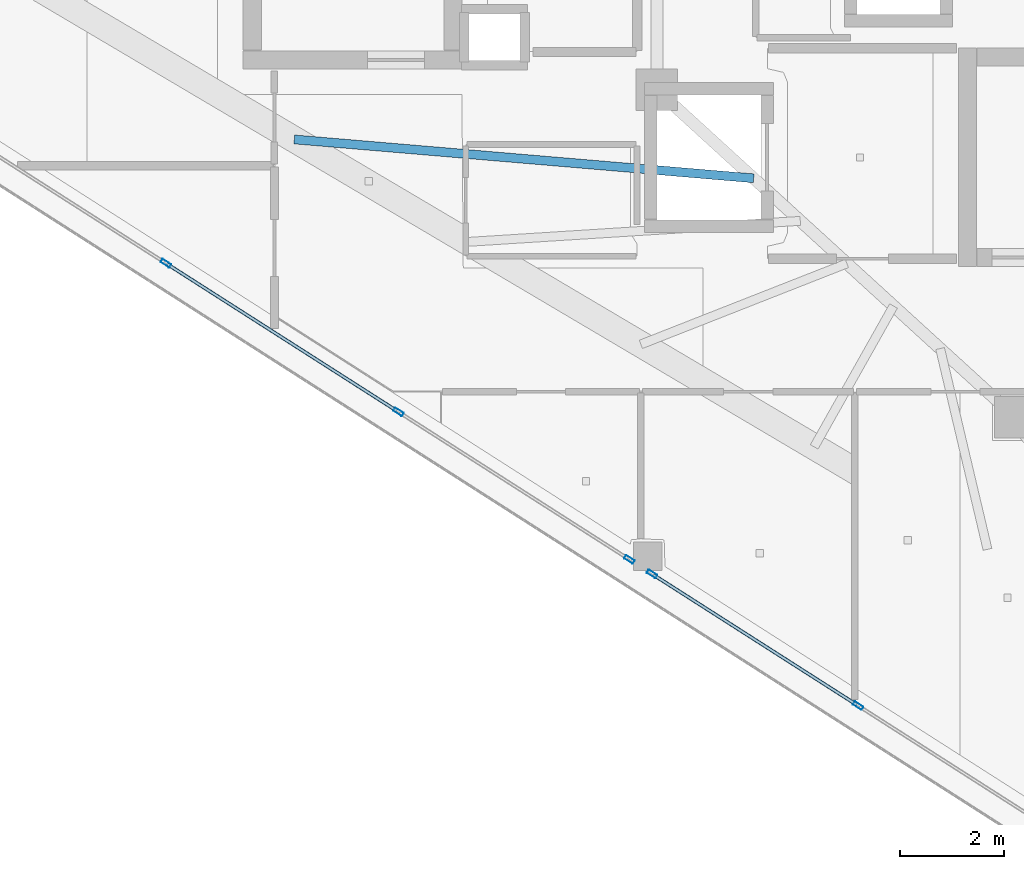
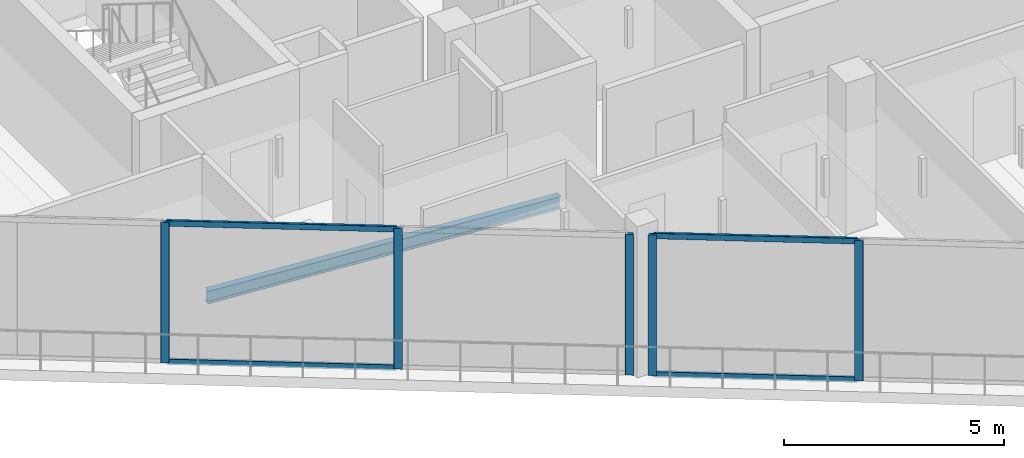
# One storey, part 2 of 25: 9 members, 1 beam, 2 elements without a shape of their own.
"""IFC4 building model written with IfcOpenShell, lengths in metres."""

from ifc_helpers import new_model, si_unit, direction, frame, origin, origin_2d, place, context, subcontext, project, spatial, hollow_rectangle, i_section, extrude, material, layer, layer_set, material_profile, profile_set, type_object, element, aggregate, save


model = new_model("IFC4")

# Units and contexts
model_context = context("Model", 3, precision=1e-05, world=origin(), true_north=direction((0.0, 1.0)))
body_context = subcontext(model_context, "Body", "Model", "MODEL_VIEW")
ifc_project = project(units=[si_unit("LENGTHUNIT", "METRE"), si_unit("AREAUNIT", "SQUARE_METRE"), si_unit("VOLUMEUNIT", "CUBIC_METRE"), si_unit("PLANEANGLEUNIT", "RADIAN"), si_unit("MASSUNIT", "GRAM", prefix="KILO")], contexts=[model_context])

# Site, building, storey
site_placement = place(None, origin())
site = spatial("IfcSite", under=ifc_project, at=site_placement, CompositionType="ELEMENT")
building_placement = place(site_placement, origin())
building = spatial("IfcBuilding", under=site, at=building_placement, Name="Qorvath Tower", CompositionType="ELEMENT")
storey_placement = place(building_placement, frame((0.0, 0.0, 306.0)))
storey = spatial("IfcBuildingStorey", under=building, at=storey_placement, Name="L71", CompositionType="ELEMENT", Elevation=306.0)

# Beam
ifc_material_1 = material(Name="Steel ASTM A992 Grade 50", Category="steel")
ifc_material_profile_1 = material_profile(ifc_material_1, i_section(OverallWidth=0.1708984375, OverallDepth=0.35107421875, WebThickness=0.0068359375, FlangeThickness=0.009765625, FilletRadius=0.010009765625, at=origin_2d()), Name="W14x30")
ifc_profile_set_1 = profile_set([ifc_material_profile_1], Name="Steel ASTM A992 Grade 50")
beam_type = type_object("IfcBeamType", Name="BM-FJ4", PredefinedType="JOIST", material=ifc_profile_set_1)
beam_placement = place(storey_placement, frame((-28.636962890625, -6.85107421875, -0.465576171875), z_axis=(-0.996436150147, 0.084350451576, 0.0), x_axis=(-0.084350451576, -0.996436150147, 0.0)))
element("IfcBeam", 1, at=beam_placement, inside=storey, type_object=beam_type, Name="Composite Floor Joist SW2 L71", PredefinedType="JOIST", context=body_context, shape_type="SweptSolid", body=[
    extrude(i_section(OverallWidth=0.1708984375, OverallDepth=0.35107421875, WebThickness=0.0068359375, FlangeThickness=0.009765625, FilletRadius=0.010009765625, at=origin_2d()), origin(), (0.0, 0.0, 1.0), 8.87109375),
])

# Curtain wall, members
ifc_material_2 = material(Name="Anodised aluminium and triple low-E glass", Category="aluminium")
ifc_layer = layer(ifc_material_2, 0.179931640625)
ifc_layer_set = layer_set([ifc_layer], Name="CW-SYS-4")
curtain_wall_type = type_object("IfcCurtainWallType", Name="CW-SYS-4", PredefinedType="NOTDEFINED", material=ifc_layer_set)
curtain_wall_1_placement = place(storey_placement, origin())
curtain_wall_1 = element("IfcCurtainWall", 2, at=curtain_wall_1_placement, inside=storey, type_object=curtain_wall_type, Name="Curtain Wall CW-4 CW-T-L71-2.1", PredefinedType="NOTDEFINED")
ifc_material_3 = material(Name="Anodised aluminium 6063-T6", Category="aluminium")
ifc_material_profile_2 = material_profile(ifc_material_3, hollow_rectangle(XDim=0.074951171875, YDim=0.199951171875, WallThickness=0.00390625, InnerFilletRadius=0.00390625, OuterFilletRadius=0.008056640625, at=origin_2d()), Name="CWM 200x75")
ifc_profile_set_2 = profile_set([ifc_material_profile_2], Name="Anodised aluminium 6063-T6")
member_type_1 = type_object("IfcMemberType", Name="CWM-200", PredefinedType="MULLION", material=ifc_profile_set_2)
member_1_placement = place(storey_placement, frame((-39.948486328125, -8.485107421875, 0.0), z_axis=(0.0, 0.0, 1.0), x_axis=(0.538537259419, 0.842601697255, 0.0)))
member_1 = element("IfcMember", 3, at=member_1_placement, type_object=member_type_1, Name="CW-4 mullion 3", PredefinedType="MULLION", context=body_context, shape_type="SweptSolid", body=[
    extrude(hollow_rectangle(XDim=0.074951171875, YDim=0.199951171875, WallThickness=0.00390625, InnerFilletRadius=0.00390625, OuterFilletRadius=0.008056640625, at=origin_2d()), origin(), (0.0, 0.0, 1.0), 3.909912109375),
])
member_2_placement = place(storey_placement, frame((-35.472900390625, -11.345458984375, 0.0), z_axis=(0.0, 0.0, 1.0), x_axis=(0.538537259419, 0.842601697255, 0.0)))
member_2 = element("IfcMember", 4, at=member_2_placement, type_object=member_type_1, Name="CW-4 mullion 4", PredefinedType="MULLION", context=body_context, shape_type="SweptSolid", body=[
    extrude(hollow_rectangle(XDim=0.074951171875, YDim=0.199951171875, WallThickness=0.00390625, InnerFilletRadius=0.00390625, OuterFilletRadius=0.008056640625, at=origin_2d()), origin(), (0.0, 0.0, 1.0), 3.909912109375),
])
member_3_placement = place(storey_placement, frame((-31.02880859375, -14.185791015625, 0.0), z_axis=(0.0, 0.0, 1.0), x_axis=(0.538537259419, 0.842601697255, 0.0)))
member_3 = element("IfcMember", 5, at=member_3_placement, type_object=member_type_1, Name="CW-4 mullion 5", PredefinedType="MULLION", context=body_context, shape_type="SweptSolid", body=[
    extrude(hollow_rectangle(XDim=0.074951171875, YDim=0.199951171875, WallThickness=0.00390625, InnerFilletRadius=0.00390625, OuterFilletRadius=0.008056640625, at=origin_2d()), origin(), (0.0, 0.0, 1.0), 3.909912109375),
])

curtain_wall_2_placement = place(storey_placement, origin())
curtain_wall_2 = element("IfcCurtainWall", 6, at=curtain_wall_2_placement, inside=storey, type_object=curtain_wall_type, Name="Curtain Wall CW-4 CW-T-L71-2.2", PredefinedType="NOTDEFINED")
member_4_placement = place(storey_placement, frame((-30.593017578125, -14.464599609375, 0.0), z_axis=(0.0, 0.0, 1.0), x_axis=(0.538533107683, 0.842604350765, 0.0)))
member_4 = element("IfcMember", 7, at=member_4_placement, type_object=member_type_1, Name="CW-4 mullion 1", PredefinedType="MULLION", context=body_context, shape_type="SweptSolid", body=[
    extrude(hollow_rectangle(XDim=0.074951171875, YDim=0.199951171875, WallThickness=0.00390625, InnerFilletRadius=0.00390625, OuterFilletRadius=0.008056640625, at=origin_2d()), origin(), (0.0, 0.0, 1.0), 3.909912109375),
])
member_5_placement = place(storey_placement, frame((-26.626220703125, -16.999755859375, 0.0), z_axis=(0.0, 0.0, 1.0), x_axis=(0.538533107683, 0.842604350765, 0.0)))
member_5 = element("IfcMember", 8, at=member_5_placement, type_object=member_type_1, Name="CW-4 mullion 2", PredefinedType="MULLION", context=body_context, shape_type="SweptSolid", body=[
    extrude(hollow_rectangle(XDim=0.074951171875, YDim=0.199951171875, WallThickness=0.00390625, InnerFilletRadius=0.00390625, OuterFilletRadius=0.008056640625, at=origin_2d()), origin(), (0.0, 0.0, 1.0), 3.909912109375),
])

# Member
ifc_material_4 = material(Name="Anodised aluminium 6063-T6", Category="aluminium")
ifc_material_profile_3 = material_profile(ifc_material_4, hollow_rectangle(XDim=0.06494140625, YDim=0.159912109375, WallThickness=0.00341796875, InnerFilletRadius=0.00341796875, OuterFilletRadius=0.007080078125, at=origin_2d()), Name="CWT 160x65")
ifc_profile_set_3 = profile_set([ifc_material_profile_3], Name="Anodised aluminium 6063-T6")
member_type_2 = type_object("IfcMemberType", Name="CWT-160", PredefinedType="USERDEFINED", material=ifc_profile_set_3)
member_6_placement = place(storey_placement, frame((-39.9169921875, -8.505126953125, 0.032470703125), z_axis=(0.842582843317, -0.538566757373, 0.0), x_axis=(0.538566757373, 0.842582843317, 0.0)))
member_6 = element("IfcMember", 9, at=member_6_placement, type_object=member_type_2, Name="CW-4 transom 3.1", ObjectType="TRANSOM", PredefinedType="USERDEFINED", context=body_context, shape_type="SweptSolid", body=[
    extrude(hollow_rectangle(XDim=0.06494140625, YDim=0.159912109375, WallThickness=0.00341796875, InnerFilletRadius=0.00341796875, OuterFilletRadius=0.007080078125, at=origin_2d()), origin(), (0.0, 0.0, 1.0), 5.23681640625),
])

member_7_placement = place(storey_placement, frame((-39.9169921875, -8.505126953125, 3.87744140625), z_axis=(0.842582843317, -0.538566757373, 0.0), x_axis=(0.538566757373, 0.842582843317, 0.0)))
member_7 = element("IfcMember", 10, at=member_7_placement, type_object=member_type_2, Name="CW-4 transom 3.2", ObjectType="TRANSOM", PredefinedType="USERDEFINED", context=body_context, shape_type="SweptSolid", body=[
    extrude(hollow_rectangle(XDim=0.06494140625, YDim=0.159912109375, WallThickness=0.00341796875, InnerFilletRadius=0.00341796875, OuterFilletRadius=0.007080078125, at=origin_2d()), origin(), (0.0, 0.0, 1.0), 5.23681640625),
])

aggregate(curtain_wall_1, [member_1, member_2, member_3, member_6, member_7])

member_8_placement = place(storey_placement, frame((-30.561279296875, -14.484619140625, 0.032470703125), z_axis=(0.842589974273, -0.538555600894, 0.0), x_axis=(0.538555600894, 0.842589974273, 0.0)))
member_8 = element("IfcMember", 11, at=member_8_placement, type_object=member_type_2, Name="CW-4 transom 1.1", ObjectType="TRANSOM", PredefinedType="USERDEFINED", context=body_context, shape_type="SweptSolid", body=[
    extrude(hollow_rectangle(XDim=0.06494140625, YDim=0.159912109375, WallThickness=0.00341796875, InnerFilletRadius=0.00341796875, OuterFilletRadius=0.007080078125, at=origin_2d()), origin(), (0.0, 0.0, 1.0), 4.632568359375),
])

member_9_placement = place(storey_placement, frame((-30.561279296875, -14.484619140625, 3.87744140625), z_axis=(0.842589974273, -0.538555600894, 0.0), x_axis=(0.538555600894, 0.842589974273, 0.0)))
member_9 = element("IfcMember", 12, at=member_9_placement, type_object=member_type_2, Name="CW-4 transom 1.2", ObjectType="TRANSOM", PredefinedType="USERDEFINED", context=body_context, shape_type="SweptSolid", body=[
    extrude(hollow_rectangle(XDim=0.06494140625, YDim=0.159912109375, WallThickness=0.00341796875, InnerFilletRadius=0.00341796875, OuterFilletRadius=0.007080078125, at=origin_2d()), origin(), (0.0, 0.0, 1.0), 4.632568359375),
])

aggregate(curtain_wall_2, [member_4, member_5, member_8, member_9])

save(model, "model.ifc")
